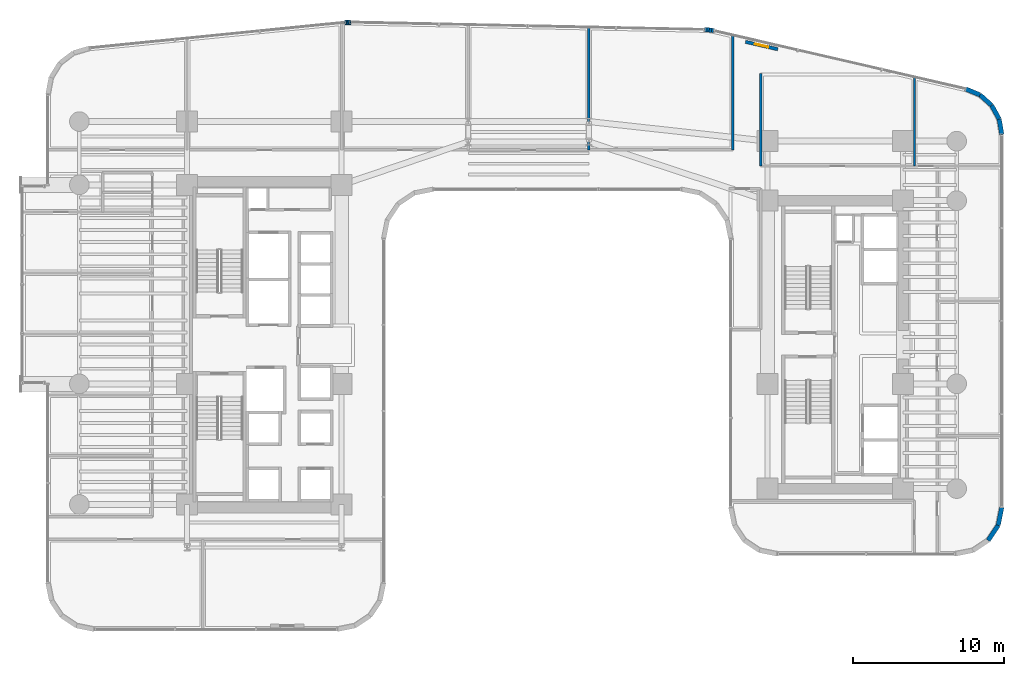
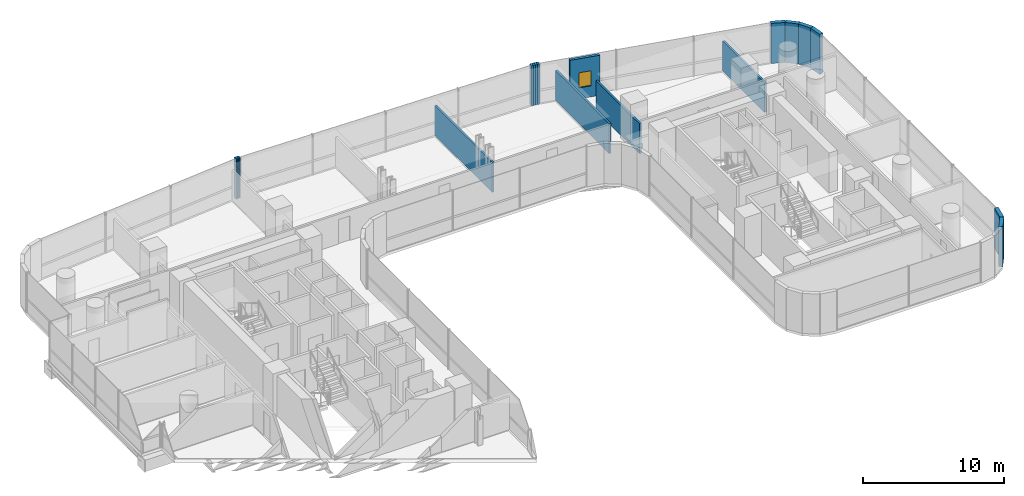
# One storey, part 33 of 38: 19 walls, 1 window, 1 opening.
"""IFC4 building model written with IfcOpenShell, lengths in metres."""

from ifc_helpers import new_model, si_unit, direction, frame, frame_2d, origin, place, context, subcontext, project, spatial, rectangle, extrude, material, layer, layer_set, type_object, element, fill, save


model = new_model("IFC4")

# Units and contexts
model_context = context("Model", 3, precision=1e-05, world=origin(), true_north=direction((0.0, 1.0)))
body_context = subcontext(model_context, "Body", "Model", "MODEL_VIEW")
ifc_project = project(units=[si_unit("LENGTHUNIT", "METRE"), si_unit("AREAUNIT", "SQUARE_METRE"), si_unit("VOLUMEUNIT", "CUBIC_METRE"), si_unit("PLANEANGLEUNIT", "RADIAN"), si_unit("MASSUNIT", "GRAM", prefix="KILO")], contexts=[model_context])

# Site, building, storey
site_placement = place(None, origin())
site = spatial("IfcSite", under=ifc_project, at=site_placement, CompositionType="ELEMENT")
building_placement = place(site_placement, origin())
building = spatial("IfcBuilding", under=site, at=building_placement, Name="Valdorenza Pilgrim Sanctuary Tower", CompositionType="ELEMENT")
storey_placement = place(building_placement, frame((0.0, 0.0, 37.10009765625)))
storey = spatial("IfcBuildingStorey", under=building, at=storey_placement, Name="L08", CompositionType="ELEMENT", Elevation=37.10009765625)

# Walls
ifc_material_1 = material(Name="Acoustic twin-stud gypsum partition", Category="gypsum")
ifc_layer_1 = layer(ifc_material_1, 0.159912109375, Name="Acoustic twin-stud gypsum partition")
ifc_layer_set_1 = layer_set([ifc_layer_1], Name="Acoustic twin-stud gypsum partition")
wall_type_1 = type_object("IfcWallType", Name="WAL-COR-160", PredefinedType="PARTITIONING", material=ifc_layer_set_1)
wall_1_placement = place(storey_placement, frame((13.550048828125, 12.919921875, 0.0), z_axis=(0.0, 0.0, 1.0), x_axis=(0.0, 1.0, 0.0)))
element("IfcWall", 1, at=wall_1_placement, inside=storey, type_object=wall_type_1, Name="L08 North Band East Closure", PredefinedType="PARTITIONING", context=body_context, shape_type="SweptSolid", body=[
    extrude(rectangle(XDim=7.609375, YDim=0.159912109375, at=frame_2d((3.8046875, 0.0))), origin(), (0.0, 0.0, 1.0), 2.5830078125),
])
wall_2_placement = place(storey_placement, frame((15.39990234375, 11.85009765625, 0.0), z_axis=(0.0, 0.0, 1.0), x_axis=(0.0, 1.0, 0.0)))
element("IfcWall", 2, at=wall_2_placement, inside=storey, type_object=wall_type_1, Name="L08 Wing B North West Wall", PredefinedType="PARTITIONING", context=body_context, shape_type="SweptSolid", body=[
    extrude(rectangle(XDim=6.14990234375, YDim=0.159912109375, at=frame_2d((3.074951171875, 0.0))), origin(), (0.0, 0.0, 1.0), 2.5830078125),
])
wall_3_placement = place(storey_placement, frame((25.60009765625, 11.85009765625, 0.0), z_axis=(0.0, 0.0, 1.0), x_axis=(0.0, 1.0, 0.0)))
element("IfcWall", 3, at=wall_3_placement, inside=storey, type_object=wall_type_1, Name="L08 Wing B North East Wall", PredefinedType="PARTITIONING", context=body_context, shape_type="SweptSolid", body=[
    extrude(rectangle(XDim=5.8984375, YDim=0.159912109375, at=frame_2d((2.94921875, 0.0))), origin(), (0.0, 0.0, 1.0), 2.5830078125),
])
ifc_material_2 = material(Name="Honed travertine limestone", Category="masonry")
ifc_layer_2 = layer(ifc_material_2, 0.300048828125, Name="Honed travertine limestone")
ifc_layer_set_2 = layer_set([ifc_layer_2], Name="Honed travertine limestone")
wall_type_2 = type_object("IfcWallType", Name="WAL-EXT-300", PredefinedType="SOLIDWALL", material=ifc_layer_set_2)
wall_4_placement = place(storey_placement, frame((-12.181884765625, 21.371337890625, 0.0), z_axis=(0.0, 0.0, 1.0), x_axis=(0.996527790842, 0.08326080759, 0.0)))
element("IfcWall", 4, at=wall_4_placement, inside=storey, type_object=wall_type_2, Name="L08 Rounded Wind-Corner Stone Pier 7", PredefinedType="SOLIDWALL", context=body_context, shape_type="SweptSolid", body=[
    extrude(rectangle(XDim=0.09375, YDim=0.300048828125, at=frame_2d((0.046875, 0.0))), origin(), (0.0, 0.0, 1.0), 3.4599609375),
])
wall_5_placement = place(storey_placement, frame((-12.08837890625, 21.379150390625, 0.0), z_axis=(0.0, 0.0, 1.0), x_axis=(0.998476480444, 0.055178963393, 0.0)))
element("IfcWall", 5, at=wall_5_placement, inside=storey, type_object=wall_type_2, Name="L08 Rounded Wind-Corner Stone Pier 8", PredefinedType="SOLIDWALL", context=body_context, shape_type="SweptSolid", body=[
    extrude(rectangle(XDim=0.093017578125, YDim=0.300048828125, at=frame_2d((0.04638671875, 0.0))), origin(), (0.0, 0.0, 1.0), 3.4599609375),
])
wall_6_placement = place(storey_placement, frame((-11.99560546875, 21.38427734375, 0.0), z_axis=(0.0, 0.0, 1.0), x_axis=(0.999722573757, 0.023553673204, 0.0)))
element("IfcWall", 6, at=wall_6_placement, inside=storey, type_object=wall_type_2, Name="L08 Rounded Wind-Corner Stone Pier 9", PredefinedType="SOLIDWALL", context=body_context, shape_type="SweptSolid", body=[
    extrude(rectangle(XDim=0.09326171875, YDim=0.300048828125, at=frame_2d((0.046630859375, 0.0))), origin(), (0.0, 0.0, 1.0), 3.4599609375),
])
wall_7_placement = place(storey_placement, frame((-11.90234375, 21.386474609375, 0.0), z_axis=(0.0, 0.0, 1.0), x_axis=(0.999986507273, -0.005194735103, 0.0)))
element("IfcWall", 7, at=wall_7_placement, inside=storey, type_object=wall_type_2, Name="L08 Rounded Wind-Corner Stone Pier 10", PredefinedType="SOLIDWALL", context=body_context, shape_type="SweptSolid", body=[
    extrude(rectangle(XDim=0.093994140625, YDim=0.300048828125, at=frame_2d((0.046875, 0.0))), origin(), (0.0, 0.0, 1.0), 3.4599609375),
])
wall_8_placement = place(storey_placement, frame((11.665771484375, 20.89697265625, 0.0), z_axis=(0.0, 0.0, 1.0), x_axis=(0.998885297239, -0.047203421059, 0.0)))
element("IfcWall", 8, at=wall_8_placement, inside=storey, type_object=wall_type_2, Name="L08 Rounded Wind-Corner Stone Pier 12", PredefinedType="SOLIDWALL", context=body_context, shape_type="SweptSolid", body=[
    extrude(rectangle(XDim=0.160400390625, YDim=0.300048828125, at=frame_2d((0.080078125, 0.0))), origin(), (0.0, 0.0, 1.0), 3.4599609375),
])
wall_9_placement = place(storey_placement, frame((11.825927734375, 20.889404296875, 0.0), z_axis=(0.0, 0.0, 1.0), x_axis=(0.995172891136, -0.098137234257, 0.0)))
element("IfcWall", 9, at=wall_9_placement, inside=storey, type_object=wall_type_2, Name="L08 Rounded Wind-Corner Stone Pier 13", PredefinedType="SOLIDWALL", context=body_context, shape_type="SweptSolid", body=[
    extrude(rectangle(XDim=0.1591796875, YDim=0.300048828125, at=frame_2d((0.07958984375, 0.0))), origin(), (0.0, 0.0, 1.0), 3.4599609375),
])
wall_10_placement = place(storey_placement, frame((11.984375, 20.873779296875, 0.0), z_axis=(0.0, 0.0, 1.0), x_axis=(0.988846069207, -0.148941100486, 0.0)))
element("IfcWall", 10, at=wall_10_placement, inside=storey, type_object=wall_type_2, Name="L08 Rounded Wind-Corner Stone Pier 14", PredefinedType="SOLIDWALL", context=body_context, shape_type="SweptSolid", body=[
    extrude(rectangle(XDim=0.158935546875, YDim=0.300048828125, at=frame_2d((0.07958984375, 0.0))), origin(), (0.0, 0.0, 1.0), 3.4599609375),
])
wall_11_placement = place(storey_placement, frame((12.1416015625, 20.85009765625, 0.0), z_axis=(0.0, 0.0, 1.0), x_axis=(0.979991950448, -0.19903712482, 0.0)))
element("IfcWall", 11, at=wall_11_placement, inside=storey, type_object=wall_type_2, Name="L08 Rounded Wind-Corner Stone Pier 15", PredefinedType="SOLIDWALL", context=body_context, shape_type="SweptSolid", body=[
    extrude(rectangle(XDim=0.16064453125, YDim=0.300048828125, at=frame_2d((0.080322265625, 0.0))), origin(), (0.0, 0.0, 1.0), 3.4599609375),
])

# Wall, opening, window
wall_12_placement = place(storey_placement, frame((14.388671875, 20.089599609375, 0.0), z_axis=(0.0, 0.0, 1.0), x_axis=(0.974400545997, -0.224818984875, 0.0)))
wall_12 = element("IfcWall", 12, at=wall_12_placement, inside=storey, type_object=wall_type_2, Name="L08 Operable Ventilation Sash Jamb Pier", PredefinedType="SOLIDWALL", context=body_context, shape_type="SweptSolid", body=[
    extrude(rectangle(XDim=2.2001953125, YDim=0.219970703125, at=frame_2d((1.10009765625, 0.0))), origin(), (0.0, 0.0, 1.0), 3.4599609375),
])
opening_placement = place(wall_12_placement, frame((0.64990234375, 0.0, 0.949951171875)))
opening = element("IfcOpeningElement", 13, at=opening_placement, cuts=wall_12, Name="Opening WN-OP1", PredefinedType="OPENING", context=body_context, shape_type="SweptSolid", body=[
    extrude(rectangle(XDim=0.89990234375, YDim=1.300048828125, at=frame_2d((0.449951171875, 0.64990234375))), frame((0.0, 0.125, 0.0), z_axis=(0.0, -1.0, 0.0), x_axis=(1.0, 0.0, 0.0)), (0.0, 0.0, 1.0), 0.249755859375),
])
ifc_material_3 = material(Name="Ceramic-fritted low-E IGU glazing", Category="glass")
window_type = type_object("IfcWindowType", Name="WIN-OPN-900", PartitioningType="SINGLE_PANEL", PredefinedType="WINDOW", material=ifc_material_3)
window_placement = place(opening_placement, origin())
window = element("IfcWindow", 14, at=window_placement, inside=storey, type_object=window_type, Name="L08 Parallel-Pop-Out Operable Facade Panel", OverallHeight=1.300048828125, OverallWidth=0.89990234375, PartitioningType="SINGLE_PANEL", PredefinedType="WINDOW", context=body_context, shape_type="SweptSolid", body=[
    extrude(rectangle(XDim=0.89990234375, YDim=1.300048828125, at=frame_2d((0.449951171875, 0.64990234375))), frame((0.0, 0.030029296875, 0.0), z_axis=(0.0, -1.0, 0.0), x_axis=(1.0, 0.0, 0.0)), (0.0, 0.0, 1.0), 0.06005859375),
])
fill(opening, window)

# Walls
wall_13_placement = place(storey_placement, frame((28.98583984375, 16.96728515625, 0.0), z_axis=(0.0, 0.0, 1.0), x_axis=(0.923083852684, -0.384598753136, 0.0)))
element("IfcWall", 15, at=wall_13_placement, inside=storey, type_object=wall_type_2, Name="L08 Rounded Wind-Corner Stone Pier 17", PredefinedType="SOLIDWALL", context=body_context, shape_type="SweptSolid", body=[
    extrude(rectangle(XDim=1.042236328125, YDim=0.300048828125, at=frame_2d((0.52099609375, 0.0))), origin(), (0.0, 0.0, 1.0), 3.4599609375),
])
wall_14_placement = place(storey_placement, frame((29.947998046875, 16.56640625, 0.0), z_axis=(0.0, 0.0, 1.0), x_axis=(0.744585645533, -0.66752694063, 0.0)))
element("IfcWall", 16, at=wall_14_placement, inside=storey, type_object=wall_type_2, Name="L08 Rounded Wind-Corner Stone Pier 18", PredefinedType="SOLIDWALL", context=body_context, shape_type="SweptSolid", body=[
    extrude(rectangle(XDim=1.032958984375, YDim=0.300048828125, at=frame_2d((0.5166015625, 0.0))), origin(), (0.0, 0.0, 1.0), 3.4599609375),
])
wall_15_placement = place(storey_placement, frame((30.717041015625, 15.876953125, 0.0), z_axis=(0.0, 0.0, 1.0), x_axis=(0.482971098131, -0.875636293429, 0.0)))
element("IfcWall", 17, at=wall_15_placement, inside=storey, type_object=wall_type_2, Name="L08 Rounded Wind-Corner Stone Pier 19", PredefinedType="SOLIDWALL", context=body_context, shape_type="SweptSolid", body=[
    extrude(rectangle(XDim=1.03271484375, YDim=0.300048828125, at=frame_2d((0.516357421875, 0.0))), origin(), (0.0, 0.0, 1.0), 3.4599609375),
])
wall_16_placement = place(storey_placement, frame((31.2158203125, 14.97265625, 0.0), z_axis=(0.0, 0.0, 1.0), x_axis=(0.167019462117, -0.985953598946, 0.0)))
element("IfcWall", 18, at=wall_16_placement, inside=storey, type_object=wall_type_2, Name="L08 Rounded Wind-Corner Stone Pier 20", PredefinedType="SOLIDWALL", context=body_context, shape_type="SweptSolid", body=[
    extrude(rectangle(XDim=1.042236328125, YDim=0.300048828125, at=frame_2d((0.52099609375, 0.0))), origin(), (0.0, 0.0, 1.0), 3.4599609375),
])
wall_17_placement = place(storey_placement, frame((31.389892578125, -10.789306640625, 0.0), z_axis=(0.0, 0.0, 1.0), x_axis=(-0.194996050505, -0.980804027463, 0.0)))
element("IfcWall", 19, at=wall_17_placement, inside=storey, type_object=wall_type_2, Name="L08 Rounded Wind-Corner Stone Pier 22", PredefinedType="SOLIDWALL", context=body_context, shape_type="SweptSolid", body=[
    extrude(rectangle(XDim=1.2158203125, YDim=0.300048828125, at=frame_2d((0.60791015625, 0.0))), origin(), (0.0, 0.0, 1.0), 3.4599609375),
])
wall_18_placement = place(storey_placement, frame((31.15283203125, -11.981689453125, 0.0), z_axis=(0.0, 0.0, 1.0), x_axis=(-0.555635100982, -0.831426265255, 0.0)))
element("IfcWall", 20, at=wall_18_placement, inside=storey, type_object=wall_type_2, Name="L08 Rounded Wind-Corner Stone Pier 23", PredefinedType="SOLIDWALL", context=body_context, shape_type="SweptSolid", body=[
    extrude(rectangle(XDim=1.204833984375, YDim=0.300048828125, at=frame_2d((0.6025390625, 0.0))), origin(), (0.0, 0.0, 1.0), 3.4599609375),
])
ifc_layer_3 = layer(ifc_material_1, 0.14990234375, Name="Acoustic twin-stud gypsum partition")
ifc_layer_set_3 = layer_set([ifc_layer_3], Name="Acoustic twin-stud gypsum partition")
wall_type_3 = type_object("IfcWallType", Name="WAL-UNT-150", PredefinedType="PARTITIONING", material=ifc_layer_set_3)
wall_19_placement = place(storey_placement, frame((4.0, 12.919921875, 0.0), z_axis=(0.0, 0.0, 1.0), x_axis=(0.0, 1.0, 0.0)))
element("IfcWall", 21, at=wall_19_placement, inside=storey, type_object=wall_type_3, Name="L08 North Grid Office Wall 4", PredefinedType="PARTITIONING", context=body_context, shape_type="SweptSolid", body=[
    extrude(rectangle(XDim=8.13671875, YDim=0.14990234375, at=frame_2d((4.068359375, 0.0))), origin(), (0.0, 0.0, 1.0), 2.5830078125),
])

save(model, "model.ifc")
